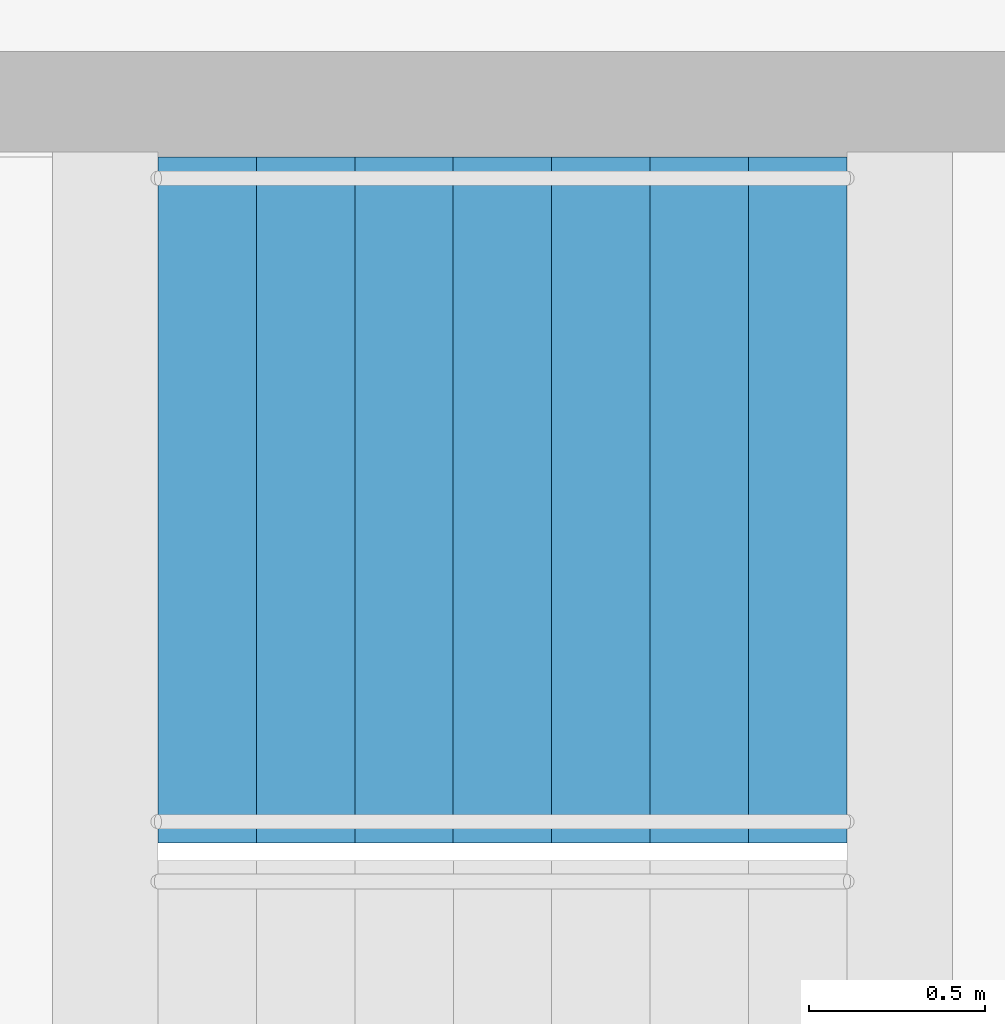
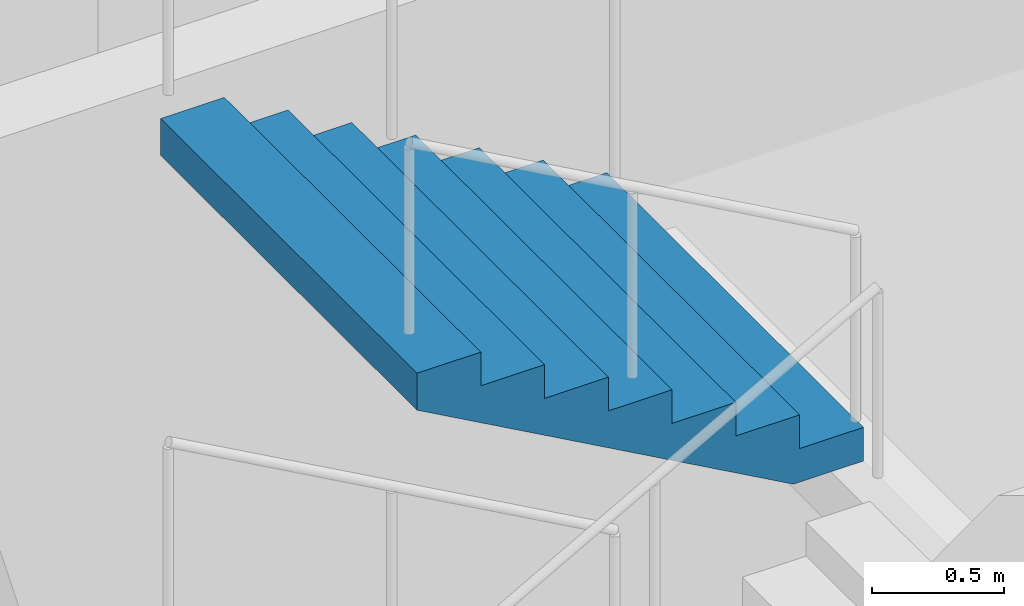
# One storey, part 21 of 26: 1 stair flight, 1 element without a shape of its own.
"""IFC4 building model written with IfcOpenShell, lengths in metres."""

from ifc_helpers import new_model, si_unit, direction, frame, origin, place, context, subcontext, project, spatial, triangles, material, type_object, element, aggregate, save


model = new_model("IFC4")

# Units and contexts
model_context = context("Model", 3, precision=1e-05, world=origin(), true_north=direction((0.0, 1.0)))
body_context = subcontext(model_context, "Body", "Model", "MODEL_VIEW")
ifc_project = project(units=[si_unit("LENGTHUNIT", "METRE"), si_unit("AREAUNIT", "SQUARE_METRE"), si_unit("VOLUMEUNIT", "CUBIC_METRE"), si_unit("PLANEANGLEUNIT", "RADIAN"), si_unit("MASSUNIT", "GRAM", prefix="KILO")], contexts=[model_context])

# Site, building, storey
site_placement = place(None, origin())
site = spatial("IfcSite", under=ifc_project, at=site_placement, CompositionType="ELEMENT")
building_placement = place(site_placement, origin())
building = spatial("IfcBuilding", under=site, at=building_placement, Name="Orbita Commons", CompositionType="ELEMENT")
storey_placement = place(building_placement, frame((0.0, 0.0, 11.0)))
storey = spatial("IfcBuildingStorey", under=building, at=storey_placement, Name="L02", CompositionType="ELEMENT", Elevation=11.0)

# Stair, stair flight
ifc_material_1 = material(Name="Precast concrete C40/50", Category="concrete")
stair_type = type_object("IfcStairType", Name="Exit stair S1 4 flights 8 risers 156", PredefinedType="HALF_TURN_STAIR", material=ifc_material_1)
stair_placement = place(storey_placement, origin())
stair = element("IfcStair", 1, at=stair_placement, inside=storey, type_object=stair_type, Name="Exit stair S1 L02", PredefinedType="HALF_TURN_STAIR")
ifc_material_2 = material(Name="Precast concrete C40/50", Category="concrete")
stair_flight_type = type_object("IfcStairFlightType", Name="Stair flight 8 risers 156 x 280", PredefinedType="STRAIGHT", material=ifc_material_2)
stair_flight_placement = place(storey_placement, frame((22.409912109375, 29.27490234375, 3.75), z_axis=(0.0, 0.0, 1.0), x_axis=(-1.0, 0.0, 0.0)))
stair_flight = element("IfcStairFlight", 2, at=stair_flight_placement, type_object=stair_flight_type, Name="S1 flight 4", NumberOfRisers=8, NumberOfTreads=7, PredefinedType="STRAIGHT", RiserHeight=0.15625, TreadLength=0.28, context=body_context, shape_type="Tessellation", body=[
    triangles([(0.0, 0.974976, 0.0), (0.0, 0.974976, 0.019531), (0.0, 0.81248, 0.019531), (0.0, 0.81248, 0.0), (0.0, 0.649984, 0.019531), (0.0, 0.649984, 0.0), (0.0, 0.487488, 0.019531), (0.0, 0.487488, 0.0), (0.0, 0.324992, 0.019531), (0.0, 0.324992, 0.0), (0.0, 0.162496, 0.019531), (0.0, 0.162496, 0.0), (0.0, 0.0, 0.019531), (0.0, 0.0, 0.0), (0.0, -0.162496, 0.019531), (0.0, -0.162496, 0.0), (0.0, -0.324992, 0.019531), (0.0, -0.324992, 0.0), (0.0, -0.487488, 0.019531), (0.0, -0.487488, 0.0), (0.0, -0.649984, 0.019531), (0.0, -0.649984, 0.0), (0.0, -0.81248, 0.019531), (0.0, -0.81248, 0.0), (0.0, -0.974976, 0.019531), (0.0, -0.974976, 0.0), (0.0, 0.974976, 0.039062), (0.0, 0.81248, 0.039062), (0.0, 0.649984, 0.039062), (0.0, 0.487488, 0.039062), (0.0, 0.324992, 0.039062), (0.0, 0.162496, 0.039062), (0.0, 0.0, 0.039062), (0.0, -0.162496, 0.039062), (0.0, -0.324992, 0.039062), (0.0, -0.487488, 0.039062), (0.0, -0.649984, 0.039062), (0.0, -0.81248, 0.039062), (0.0, -0.974976, 0.039062), (0.0, 0.974976, 0.058594), (0.0, 0.81248, 0.058594), (0.0, 0.649984, 0.058594), (0.0, 0.487488, 0.058594), (0.0, 0.324992, 0.058594), (0.0, 0.162496, 0.058594), (0.0, 0.0, 0.058594), (0.0, -0.162496, 0.058594), (0.0, -0.324992, 0.058594), (0.0, -0.487488, 0.058594), (0.0, -0.649984, 0.058594), (0.0, -0.81248, 0.058594), (0.0, -0.974976, 0.058594), (0.0, 0.974976, 0.078125), (0.0, 0.81248, 0.078125), (0.0, 0.649984, 0.078125), (0.0, 0.487488, 0.078125), (0.0, 0.324992, 0.078125), (0.0, 0.162496, 0.078125), (0.0, 0.0, 0.078125), (0.0, -0.162496, 0.078125), (0.0, -0.324992, 0.078125), (0.0, -0.487488, 0.078125), (0.0, -0.649984, 0.078125), (0.0, -0.81248, 0.078125), (0.0, -0.974976, 0.078125), (0.0, 0.974976, 0.097656), (0.0, 0.81248, 0.097656), (0.0, 0.649984, 0.097656), (0.0, 0.487488, 0.097656), (0.0, 0.324992, 0.097656), (0.0, 0.162496, 0.097656), (0.0, 0.0, 0.097656), (0.0, -0.162496, 0.097656), (0.0, -0.324992, 0.097656), (0.0, -0.487488, 0.097656), (0.0, -0.649984, 0.097656), (0.0, -0.81248, 0.097656), (0.0, -0.974976, 0.097656), (0.0, 0.974976, 0.117188), (0.0, 0.81248, 0.117188), (0.0, 0.649984, 0.117188), (0.0, 0.487488, 0.117188), (0.0, 0.324992, 0.117188), (0.0, 0.162496, 0.117188), (0.0, 0.0, 0.117188), (0.0, -0.162496, 0.117188), (0.0, -0.324992, 0.117188), (0.0, -0.487488, 0.117188), (0.0, -0.649984, 0.117188), (0.0, -0.81248, 0.117188), (0.0, -0.974976, 0.117188), (0.0, 0.974976, 0.136719), (0.0, 0.81248, 0.136719), (0.0, 0.649984, 0.136719), (0.0, 0.487488, 0.136719), (0.0, 0.324992, 0.136719), (0.0, 0.162496, 0.136719), (0.0, 0.0, 0.136719), (0.0, -0.162496, 0.136719), (0.0, -0.324992, 0.136719), (0.0, -0.487488, 0.136719), (0.0, -0.649984, 0.136719), (0.0, -0.81248, 0.136719), (0.0, -0.974976, 0.136719), (0.0, 0.974976, 0.15625), (0.0, 0.81248, 0.15625), (0.0, 0.649984, 0.15625), (0.0, 0.487488, 0.15625), (0.0, 0.324992, 0.15625), (0.0, 0.162496, 0.15625), (0.0, 0.0, 0.15625), (0.0, -0.162496, 0.15625), (0.0, -0.324992, 0.15625), (0.0, -0.487488, 0.15625), (0.0, -0.649984, 0.15625), (0.0, -0.81248, 0.15625), (0.0, -0.974976, 0.15625), (0.28, 0.974976, 0.15625), (0.28, 0.81248, 0.15625), (0.28, 0.649984, 0.15625), (0.28, 0.487488, 0.15625), (0.28, 0.324992, 0.15625), (0.28, 0.162496, 0.15625), (0.28, 0.0, 0.15625), (0.28, -0.162496, 0.15625), (0.28, -0.324992, 0.15625), (0.28, -0.487488, 0.15625), (0.28, -0.649984, 0.15625), (0.28, -0.81248, 0.15625), (0.28, -0.974976, 0.15625), (0.28, 0.974976, 0.3125), (0.28, 0.81248, 0.3125), (0.28, 0.649984, 0.3125), (0.28, 0.487488, 0.3125), (0.28, 0.324992, 0.3125), (0.28, 0.162496, 0.3125), (0.28, 0.0, 0.3125), (0.28, -0.162496, 0.3125), (0.28, -0.324992, 0.3125), (0.28, -0.487488, 0.3125), (0.28, -0.649984, 0.3125), (0.28, -0.81248, 0.3125), (0.28, -0.974976, 0.3125), (0.56, 0.974976, 0.3125), (0.56, 0.81248, 0.3125), (0.56, 0.649984, 0.3125), (0.56, 0.487488, 0.3125), (0.56, 0.324992, 0.3125), (0.56, 0.162496, 0.3125), (0.56, 0.0, 0.3125), (0.56, -0.162496, 0.3125), (0.56, -0.324992, 0.3125), (0.56, -0.487488, 0.3125), (0.56, -0.649984, 0.3125), (0.56, -0.81248, 0.3125), (0.56, -0.974976, 0.3125), (0.56, 0.974976, 0.46875), (0.56, 0.81248, 0.46875), (0.56, 0.649984, 0.46875), (0.56, 0.487488, 0.46875), (0.56, 0.324992, 0.46875), (0.56, 0.162496, 0.46875), (0.56, 0.0, 0.46875), (0.56, -0.162496, 0.46875), (0.56, -0.324992, 0.46875), (0.56, -0.487488, 0.46875), (0.56, -0.649984, 0.46875), (0.56, -0.81248, 0.46875), (0.56, -0.974976, 0.46875), (0.84, 0.974976, 0.46875), (0.84, 0.81248, 0.46875), (0.84, 0.649984, 0.46875), (0.84, 0.487488, 0.46875), (0.84, 0.324992, 0.46875), (0.84, 0.162496, 0.46875), (0.84, 0.0, 0.46875), (0.84, -0.162496, 0.46875), (0.84, -0.324992, 0.46875), (0.84, -0.487488, 0.46875), (0.84, -0.649984, 0.46875), (0.84, -0.81248, 0.46875), (0.84, -0.974976, 0.46875), (0.84, 0.974976, 0.625), (0.84, 0.81248, 0.625), (0.84, 0.649984, 0.625), (0.84, 0.487488, 0.625), (0.84, 0.324992, 0.625), (0.84, 0.162496, 0.625), (0.84, 0.0, 0.625), (0.84, -0.162496, 0.625), (0.84, -0.324992, 0.625), (0.84, -0.487488, 0.625), (0.84, -0.649984, 0.625), (0.84, -0.81248, 0.625), (0.84, -0.974976, 0.625), (1.12, 0.974976, 0.625), (1.12, 0.81248, 0.625), (1.12, 0.649984, 0.625), (1.12, 0.487488, 0.625), (1.12, 0.324992, 0.625), (1.12, 0.162496, 0.625), (1.12, 0.0, 0.625), (1.12, -0.162496, 0.625), (1.12, -0.324992, 0.625), (1.12, -0.487488, 0.625), (1.12, -0.649984, 0.625), (1.12, -0.81248, 0.625), (1.12, -0.974976, 0.625), (1.12, 0.974976, 0.78125), (1.12, 0.81248, 0.78125), (1.12, 0.649984, 0.78125), (1.12, 0.487488, 0.78125), (1.12, 0.324992, 0.78125), (1.12, 0.162496, 0.78125), (1.12, 0.0, 0.78125), (1.12, -0.162496, 0.78125), (1.12, -0.324992, 0.78125), (1.12, -0.487488, 0.78125), (1.12, -0.649984, 0.78125), (1.12, -0.81248, 0.78125), (1.12, -0.974976, 0.78125), (1.4, 0.974976, 0.78125), (1.4, 0.81248, 0.78125), (1.4, 0.649984, 0.78125), (1.4, 0.487488, 0.78125), (1.4, 0.324992, 0.78125), (1.4, 0.162496, 0.78125), (1.4, 0.0, 0.78125), (1.4, -0.162496, 0.78125), (1.4, -0.324992, 0.78125), (1.4, -0.487488, 0.78125), (1.4, -0.649984, 0.78125), (1.4, -0.81248, 0.78125), (1.4, -0.974976, 0.78125), (1.4, 0.974976, 0.9375), (1.4, 0.81248, 0.9375), (1.4, 0.649984, 0.9375), (1.4, 0.487488, 0.9375), (1.4, 0.324992, 0.9375), (1.4, 0.162496, 0.9375), (1.4, 0.0, 0.9375), (1.4, -0.162496, 0.9375), (1.4, -0.324992, 0.9375), (1.4, -0.487488, 0.9375), (1.4, -0.649984, 0.9375), (1.4, -0.81248, 0.9375), (1.4, -0.974976, 0.9375), (1.68, 0.974976, 0.9375), (1.68, 0.81248, 0.9375), (1.68, 0.649984, 0.9375), (1.68, 0.487488, 0.9375), (1.68, 0.324992, 0.9375), (1.68, 0.162496, 0.9375), (1.68, 0.0, 0.9375), (1.68, -0.162496, 0.9375), (1.68, -0.324992, 0.9375), (1.68, -0.487488, 0.9375), (1.68, -0.649984, 0.9375), (1.68, -0.81248, 0.9375), (1.68, -0.974976, 0.9375), (1.68, 0.974976, 1.09375), (1.68, 0.81248, 1.09375), (1.68, 0.649984, 1.09375), (1.68, 0.487488, 1.09375), (1.68, 0.324992, 1.09375), (1.68, 0.162496, 1.09375), (1.68, 0.0, 1.09375), (1.68, -0.162496, 1.09375), (1.68, -0.324992, 1.09375), (1.68, -0.487488, 1.09375), (1.68, -0.649984, 1.09375), (1.68, -0.81248, 1.09375), (1.68, -0.974976, 1.09375), (1.96, 0.974976, 1.09375), (1.96, 0.81248, 1.09375), (1.96, 0.649984, 1.09375), (1.96, 0.487488, 1.09375), (1.96, 0.324992, 1.09375), (1.96, 0.162496, 1.09375), (1.96, 0.0, 1.09375), (1.96, -0.162496, 1.09375), (1.96, -0.324992, 1.09375), (1.96, -0.487488, 1.09375), (1.96, -0.649984, 1.09375), (1.96, -0.81248, 1.09375), (1.96, -0.974976, 1.09375), (1.96, 0.974976, 1.072292), (1.96, 0.81248, 1.072292), (1.96, 0.649984, 1.072292), (1.96, 0.487488, 1.072292), (1.96, 0.324992, 1.072292), (1.96, 0.162496, 1.072292), (1.96, 0.0, 1.072292), (1.96, -0.162496, 1.072292), (1.96, -0.324992, 1.072292), (1.96, -0.487488, 1.072292), (1.96, -0.649984, 1.072292), (1.96, -0.81248, 1.072292), (1.96, -0.974976, 1.072292), (1.96, 0.974976, 1.050834), (1.96, 0.81248, 1.050834), (1.96, 0.649984, 1.050834), (1.96, 0.487488, 1.050834), (1.96, 0.324992, 1.050834), (1.96, 0.162496, 1.050834), (1.96, 0.0, 1.050834), (1.96, -0.162496, 1.050834), (1.96, -0.324992, 1.050834), (1.96, -0.487488, 1.050834), (1.96, -0.649984, 1.050834), (1.96, -0.81248, 1.050834), (1.96, -0.974976, 1.050834), (1.96, 0.974976, 1.029376), (1.96, 0.81248, 1.029376), (1.96, 0.649984, 1.029376), (1.96, 0.487488, 1.029376), (1.96, 0.324992, 1.029376), (1.96, 0.162496, 1.029376), (1.96, 0.0, 1.029376), (1.96, -0.162496, 1.029376), (1.96, -0.324992, 1.029376), (1.96, -0.487488, 1.029376), (1.96, -0.649984, 1.029376), (1.96, -0.81248, 1.029376), (1.96, -0.974976, 1.029376), (1.96, 0.974976, 1.007919), (1.96, 0.81248, 1.007919), (1.96, 0.649984, 1.007919), (1.96, 0.487488, 1.007919), (1.96, 0.324992, 1.007919), (1.96, 0.162496, 1.007919), (1.96, 0.0, 1.007919), (1.96, -0.162496, 1.007919), (1.96, -0.324992, 1.007919), (1.96, -0.487488, 1.007919), (1.96, -0.649984, 1.007919), (1.96, -0.81248, 1.007919), (1.96, -0.974976, 1.007919), (1.96, 0.974976, 0.986461), (1.96, 0.81248, 0.986461), (1.96, 0.649984, 0.986461), (1.96, 0.487488, 0.986461), (1.96, 0.324992, 0.986461), (1.96, 0.162496, 0.986461), (1.96, 0.0, 0.986461), (1.96, -0.162496, 0.986461), (1.96, -0.324992, 0.986461), (1.96, -0.487488, 0.986461), (1.96, -0.649984, 0.986461), (1.96, -0.81248, 0.986461), (1.96, -0.974976, 0.986461), (1.96, 0.974976, 0.965003), (1.96, 0.81248, 0.965003), (1.96, 0.649984, 0.965003), (1.96, 0.487488, 0.965003), (1.96, 0.324992, 0.965003), (1.96, 0.162496, 0.965003), (1.96, 0.0, 0.965003), (1.96, -0.162496, 0.965003), (1.96, -0.324992, 0.965003), (1.96, -0.487488, 0.965003), (1.96, -0.649984, 0.965003), (1.96, -0.81248, 0.965003), (1.96, -0.974976, 0.965003), (1.96, 0.974976, 0.943545), (1.96, 0.81248, 0.943545), (1.96, 0.649984, 0.943545), (1.96, 0.487488, 0.943545), (1.96, 0.324992, 0.943545), (1.96, 0.162496, 0.943545), (1.96, 0.0, 0.943545), (1.96, -0.162496, 0.943545), (1.96, -0.324992, 0.943545), (1.96, -0.487488, 0.943545), (1.96, -0.649984, 0.943545), (1.96, -0.81248, 0.943545), (1.96, -0.974976, 0.943545), (1.96, 0.974976, 0.922087), (1.96, 0.81248, 0.922087), (1.96, 0.649984, 0.922087), (1.96, 0.487488, 0.922087), (1.96, 0.324992, 0.922087), (1.96, 0.162496, 0.922087), (1.96, 0.0, 0.922087), (1.96, -0.162496, 0.922087), (1.96, -0.324992, 0.922087), (1.96, -0.487488, 0.922087), (1.96, -0.649984, 0.922087), (1.96, -0.81248, 0.922087), (1.96, -0.974976, 0.922087), (0.30762, 0.974976, 0.0), (0.30762, 0.81248, 0.0), (0.30762, 0.649984, 0.0), (0.30762, 0.487488, 0.0), (0.30762, 0.324992, 0.0), (0.30762, 0.162496, 0.0), (0.30762, 0.0, 0.0), (0.30762, -0.162496, 0.0), (0.30762, -0.324992, 0.0), (0.30762, -0.487488, 0.0), (0.30762, -0.649984, 0.0), (0.30762, -0.81248, 0.0), (0.30762, -0.974976, 0.0)], [[3, 2, 1], [4, 3, 1], [5, 3, 4], [6, 5, 4], [7, 5, 6], [8, 7, 6], [9, 7, 8], [10, 9, 8], [11, 9, 10], [12, 11, 10], [13, 11, 12], [14, 13, 12], [15, 13, 14], [16, 15, 14], [17, 15, 16], [18, 17, 16], [19, 17, 18], [20, 19, 18], [21, 19, 20], [22, 21, 20], [23, 21, 22], [24, 23, 22], [25, 23, 24], [26, 25, 24], [28, 27, 2], [3, 28, 2], [29, 28, 3], [5, 29, 3], [30, 29, 5], [7, 30, 5], [31, 30, 7], [9, 31, 7], [32, 31, 9], [11, 32, 9], [33, 32, 11], [13, 33, 11], [34, 33, 13], [15, 34, 13], [35, 34, 15], [17, 35, 15], [36, 35, 17], [19, 36, 17], [37, 36, 19], [21, 37, 19], [38, 37, 21], [23, 38, 21], [39, 38, 23], [25, 39, 23], [41, 40, 27], [28, 41, 27], [42, 41, 28], [29, 42, 28], [43, 42, 29], [30, 43, 29], [44, 43, 30], [31, 44, 30], [45, 44, 31], [32, 45, 31], [46, 45, 32], [33, 46, 32], [47, 46, 33], [34, 47, 33], [48, 47, 34], [35, 48, 34], [49, 48, 35], [36, 49, 35], [50, 49, 36], [37, 50, 36], [51, 50, 37], [38, 51, 37], [52, 51, 38], [39, 52, 38], [54, 53, 40], [41, 54, 40], [55, 54, 41], [42, 55, 41], [56, 55, 42], [43, 56, 42], [57, 56, 43], [44, 57, 43], [58, 57, 44], [45, 58, 44], [59, 58, 45], [46, 59, 45], [60, 59, 46], [47, 60, 46], [61, 60, 47], [48, 61, 47], [62, 61, 48], [49, 62, 48], [63, 62, 49], [50, 63, 49], [64, 63, 50], [51, 64, 50], [65, 64, 51], [52, 65, 51], [67, 66, 53], [54, 67, 53], [68, 67, 54], [55, 68, 54], [69, 68, 55], [56, 69, 55], [70, 69, 56], [57, 70, 56], [71, 70, 57], [58, 71, 57], [72, 71, 58], [59, 72, 58], [73, 72, 59], [60, 73, 59], [74, 73, 60], [61, 74, 60], [75, 74, 61], [62, 75, 61], [76, 75, 62], [63, 76, 62], [77, 76, 63], [64, 77, 63], [78, 77, 64], [65, 78, 64], [80, 79, 66], [67, 80, 66], [81, 80, 67], [68, 81, 67], [82, 81, 68], [69, 82, 68], [83, 82, 69], [70, 83, 69], [84, 83, 70], [71, 84, 70], [85, 84, 71], [72, 85, 71], [86, 85, 72], [73, 86, 72], [87, 86, 73], [74, 87, 73], [88, 87, 74], [75, 88, 74], [89, 88, 75], [76, 89, 75], [90, 89, 76], [77, 90, 76], [91, 90, 77], [78, 91, 77], [93, 92, 79], [80, 93, 79], [94, 93, 80], [81, 94, 80], [95, 94, 81], [82, 95, 81], [96, 95, 82], [83, 96, 82], [97, 96, 83], [84, 97, 83], [98, 97, 84], [85, 98, 84], [99, 98, 85], [86, 99, 85], [100, 99, 86], [87, 100, 86], [101, 100, 87], [88, 101, 87], [102, 101, 88], [89, 102, 88], [103, 102, 89], [90, 103, 89], [104, 103, 90], [91, 104, 90], [106, 105, 92], [93, 106, 92], [107, 106, 93], [94, 107, 93], [108, 107, 94], [95, 108, 94], [109, 108, 95], [96, 109, 95], [110, 109, 96], [97, 110, 96], [111, 110, 97], [98, 111, 97], [112, 111, 98], [99, 112, 98], [113, 112, 99], [100, 113, 99], [114, 113, 100], [101, 114, 100], [115, 114, 101], [102, 115, 101], [116, 115, 102], [103, 116, 102], [117, 116, 103], [104, 117, 103], [119, 118, 105], [106, 119, 105], [120, 119, 106], [107, 120, 106], [121, 120, 107], [108, 121, 107], [122, 121, 108], [109, 122, 108], [123, 122, 109], [110, 123, 109], [124, 123, 110], [111, 124, 110], [125, 124, 111], [112, 125, 111], [126, 125, 112], [113, 126, 112], [127, 126, 113], [114, 127, 113], [128, 127, 114], [115, 128, 114], [129, 128, 115], [116, 129, 115], [130, 129, 116], [117, 130, 116], [132, 131, 118], [119, 132, 118], [133, 132, 119], [120, 133, 119], [134, 133, 120], [121, 134, 120], [135, 134, 121], [122, 135, 121], [136, 135, 122], [123, 136, 122], [137, 136, 123], [124, 137, 123], [138, 137, 124], [125, 138, 124], [139, 138, 125], [126, 139, 125], [140, 139, 126], [127, 140, 126], [141, 140, 127], [128, 141, 127], [142, 141, 128], [129, 142, 128], [143, 142, 129], [130, 143, 129], [145, 144, 131], [132, 145, 131], [146, 145, 132], [133, 146, 132], [147, 146, 133], [134, 147, 133], [148, 147, 134], [135, 148, 134], [149, 148, 135], [136, 149, 135], [150, 149, 136], [137, 150, 136], [151, 150, 137], [138, 151, 137], [152, 151, 138], [139, 152, 138], [153, 152, 139], [140, 153, 139], [154, 153, 140], [141, 154, 140], [155, 154, 141], [142, 155, 141], [156, 155, 142], [143, 156, 142], [158, 157, 144], [145, 158, 144], [159, 158, 145], [146, 159, 145], [160, 159, 146], [147, 160, 146], [161, 160, 147], [148, 161, 147], [162, 161, 148], [149, 162, 148], [163, 162, 149], [150, 163, 149], [164, 163, 150], [151, 164, 150], [165, 164, 151], [152, 165, 151], [166, 165, 152], [153, 166, 152], [167, 166, 153], [154, 167, 153], [168, 167, 154], [155, 168, 154], [169, 168, 155], [156, 169, 155], [171, 170, 157], [158, 171, 157], [172, 171, 158], [159, 172, 158], [173, 172, 159], [160, 173, 159], [174, 173, 160], [161, 174, 160], [175, 174, 161], [162, 175, 161], [176, 175, 162], [163, 176, 162], [177, 176, 163], [164, 177, 163], [178, 177, 164], [165, 178, 164], [179, 178, 165], [166, 179, 165], [180, 179, 166], [167, 180, 166], [181, 180, 167], [168, 181, 167], [182, 181, 168], [169, 182, 168], [184, 183, 170], [171, 184, 170], [185, 184, 171], [172, 185, 171], [186, 185, 172], [173, 186, 172], [187, 186, 173], [174, 187, 173], [188, 187, 174], [175, 188, 174], [189, 188, 175], [176, 189, 175], [190, 189, 176], [177, 190, 176], [191, 190, 177], [178, 191, 177], [192, 191, 178], [179, 192, 178], [193, 192, 179], [180, 193, 179], [194, 193, 180], [181, 194, 180], [195, 194, 181], [182, 195, 181], [197, 196, 183], [184, 197, 183], [198, 197, 184], [185, 198, 184], [199, 198, 185], [186, 199, 185], [200, 199, 186], [187, 200, 186], [201, 200, 187], [188, 201, 187], [202, 201, 188], [189, 202, 188], [203, 202, 189], [190, 203, 189], [204, 203, 190], [191, 204, 190], [205, 204, 191], [192, 205, 191], [206, 205, 192], [193, 206, 192], [207, 206, 193], [194, 207, 193], [208, 207, 194], [195, 208, 194], [210, 209, 196], [197, 210, 196], [211, 210, 197], [198, 211, 197], [212, 211, 198], [199, 212, 198], [213, 212, 199], [200, 213, 199], [214, 213, 200], [201, 214, 200], [215, 214, 201], [202, 215, 201], [216, 215, 202], [203, 216, 202], [217, 216, 203], [204, 217, 203], [218, 217, 204], [205, 218, 204], [219, 218, 205], [206, 219, 205], [220, 219, 206], [207, 220, 206], [221, 220, 207], [208, 221, 207], [223, 222, 209], [210, 223, 209], [224, 223, 210], [211, 224, 210], [225, 224, 211], [212, 225, 211], [226, 225, 212], [213, 226, 212], [227, 226, 213], [214, 227, 213], [228, 227, 214], [215, 228, 214], [229, 228, 215], [216, 229, 215], [230, 229, 216], [217, 230, 216], [231, 230, 217], [218, 231, 217], [232, 231, 218], [219, 232, 218], [233, 232, 219], [220, 233, 219], [234, 233, 220], [221, 234, 220], [236, 235, 222], [223, 236, 222], [237, 236, 223], [224, 237, 223], [238, 237, 224], [225, 238, 224], [239, 238, 225], [226, 239, 225], [240, 239, 226], [227, 240, 226], [241, 240, 227], [228, 241, 227], [242, 241, 228], [229, 242, 228], [243, 242, 229], [230, 243, 229], [244, 243, 230], [231, 244, 230], [245, 244, 231], [232, 245, 231], [246, 245, 232], [233, 246, 232], [247, 246, 233], [234, 247, 233], [249, 248, 235], [236, 249, 235], [250, 249, 236], [237, 250, 236], [251, 250, 237], [238, 251, 237], [252, 251, 238], [239, 252, 238], [253, 252, 239], [240, 253, 239], [254, 253, 240], [241, 254, 240], [255, 254, 241], [242, 255, 241], [256, 255, 242], [243, 256, 242], [257, 256, 243], [244, 257, 243], [258, 257, 244], [245, 258, 244], [259, 258, 245], [246, 259, 245], [260, 259, 246], [247, 260, 246], [262, 261, 248], [249, 262, 248], [263, 262, 249], [250, 263, 249], [264, 263, 250], [251, 264, 250], [265, 264, 251], [252, 265, 251], [266, 265, 252], [253, 266, 252], [267, 266, 253], [254, 267, 253], [268, 267, 254], [255, 268, 254], [269, 268, 255], [256, 269, 255], [270, 269, 256], [257, 270, 256], [271, 270, 257], [258, 271, 257], [272, 271, 258], [259, 272, 258], [273, 272, 259], [260, 273, 259], [275, 274, 261], [262, 275, 261], [276, 275, 262], [263, 276, 262], [277, 276, 263], [264, 277, 263], [278, 277, 264], [265, 278, 264], [279, 278, 265], [266, 279, 265], [280, 279, 266], [267, 280, 266], [281, 280, 267], [268, 281, 267], [282, 281, 268], [269, 282, 268], [283, 282, 269], [270, 283, 269], [284, 283, 270], [271, 284, 270], [285, 284, 271], [272, 285, 271], [286, 285, 272], [273, 286, 272], [288, 287, 274], [275, 288, 274], [289, 288, 275], [276, 289, 275], [290, 289, 276], [277, 290, 276], [291, 290, 277], [278, 291, 277], [292, 291, 278], [279, 292, 278], [293, 292, 279], [280, 293, 279], [294, 293, 280], [281, 294, 280], [295, 294, 281], [282, 295, 281], [296, 295, 282], [283, 296, 282], [297, 296, 283], [284, 297, 283], [298, 297, 284], [285, 298, 284], [299, 298, 285], [286, 299, 285], [301, 300, 287], [288, 301, 287], [302, 301, 288], [289, 302, 288], [303, 302, 289], [290, 303, 289], [304, 303, 290], [291, 304, 290], [305, 304, 291], [292, 305, 291], [306, 305, 292], [293, 306, 292], [307, 306, 293], [294, 307, 293], [308, 307, 294], [295, 308, 294], [309, 308, 295], [296, 309, 295], [310, 309, 296], [297, 310, 296], [311, 310, 297], [298, 311, 297], [312, 311, 298], [299, 312, 298], [314, 313, 300], [301, 314, 300], [315, 314, 301], [302, 315, 301], [316, 315, 302], [303, 316, 302], [317, 316, 303], [304, 317, 303], [318, 317, 304], [305, 318, 304], [319, 318, 305], [306, 319, 305], [320, 319, 306], [307, 320, 306], [321, 320, 307], [308, 321, 307], [322, 321, 308], [309, 322, 308], [323, 322, 309], [310, 323, 309], [324, 323, 310], [311, 324, 310], [325, 324, 311], [312, 325, 311], [327, 326, 313], [314, 327, 313], [328, 327, 314], [315, 328, 314], [329, 328, 315], [316, 329, 315], [330, 329, 316], [317, 330, 316], [331, 330, 317], [318, 331, 317], [332, 331, 318], [319, 332, 318], [333, 332, 319], [320, 333, 319], [334, 333, 320], [321, 334, 320], [335, 334, 321], [322, 335, 321], [336, 335, 322], [323, 336, 322], [337, 336, 323], [324, 337, 323], [338, 337, 324], [325, 338, 324], [340, 339, 326], [327, 340, 326], [341, 340, 327], [328, 341, 327], [342, 341, 328], [329, 342, 328], [343, 342, 329], [330, 343, 329], [344, 343, 330], [331, 344, 330], [345, 344, 331], [332, 345, 331], [346, 345, 332], [333, 346, 332], [347, 346, 333], [334, 347, 333], [348, 347, 334], [335, 348, 334], [349, 348, 335], [336, 349, 335], [350, 349, 336], [337, 350, 336], [351, 350, 337], [338, 351, 337], [353, 352, 339], [340, 353, 339], [354, 353, 340], [341, 354, 340], [355, 354, 341], [342, 355, 341], [356, 355, 342], [343, 356, 342], [357, 356, 343], [344, 357, 343], [358, 357, 344], [345, 358, 344], [359, 358, 345], [346, 359, 345], [360, 359, 346], [347, 360, 346], [361, 360, 347], [348, 361, 347], [362, 361, 348], [349, 362, 348], [363, 362, 349], [350, 363, 349], [364, 363, 350], [351, 364, 350], [366, 365, 352], [353, 366, 352], [367, 366, 353], [354, 367, 353], [368, 367, 354], [355, 368, 354], [369, 368, 355], [356, 369, 355], [370, 369, 356], [357, 370, 356], [371, 370, 357], [358, 371, 357], [372, 371, 358], [359, 372, 358], [373, 372, 359], [360, 373, 359], [374, 373, 360], [361, 374, 360], [375, 374, 361], [362, 375, 361], [376, 375, 362], [363, 376, 362], [377, 376, 363], [364, 377, 363], [379, 378, 365], [366, 379, 365], [380, 379, 366], [367, 380, 366], [381, 380, 367], [368, 381, 367], [382, 381, 368], [369, 382, 368], [383, 382, 369], [370, 383, 369], [384, 383, 370], [371, 384, 370], [385, 384, 371], [372, 385, 371], [386, 385, 372], [373, 386, 372], [387, 386, 373], [374, 387, 373], [388, 387, 374], [375, 388, 374], [389, 388, 375], [376, 389, 375], [390, 389, 376], [377, 390, 376], [392, 391, 378], [379, 392, 378], [393, 392, 379], [380, 393, 379], [394, 393, 380], [381, 394, 380], [395, 394, 381], [382, 395, 381], [396, 395, 382], [383, 396, 382], [397, 396, 383], [384, 397, 383], [398, 397, 384], [385, 398, 384], [399, 398, 385], [386, 399, 385], [400, 399, 386], [387, 400, 386], [401, 400, 387], [388, 401, 387], [402, 401, 388], [389, 402, 388], [403, 402, 389], [390, 403, 389], [4, 1, 391], [392, 4, 391], [6, 4, 392], [393, 6, 392], [8, 6, 393], [394, 8, 393], [10, 8, 394], [395, 10, 394], [12, 10, 395], [396, 12, 395], [14, 12, 396], [397, 14, 396], [16, 14, 397], [398, 16, 397], [18, 16, 398], [399, 18, 398], [20, 18, 399], [400, 20, 399], [22, 20, 400], [401, 22, 400], [24, 22, 401], [402, 24, 401], [26, 24, 402], [403, 26, 402], [378, 391, 1], [26, 403, 390], [365, 378, 1], [26, 390, 377], [352, 365, 1], [26, 377, 364], [339, 352, 1], [26, 364, 351], [326, 339, 1], [26, 351, 338], [313, 326, 1], [26, 338, 325], [300, 313, 1], [26, 325, 312], [287, 300, 1], [26, 312, 299], [261, 274, 287], [299, 286, 273], [248, 261, 287], [299, 273, 260], [222, 235, 248], [260, 247, 234], [222, 248, 287], [299, 260, 234], [196, 209, 222], [234, 221, 208], [196, 222, 287], [299, 234, 208], [170, 183, 196], [208, 195, 182], [170, 196, 287], [299, 208, 182], [144, 157, 170], [182, 169, 156], [144, 170, 287], [299, 182, 156], [118, 131, 144], [156, 143, 130], [118, 144, 287], [299, 156, 130], [118, 287, 1], [26, 299, 130], [92, 105, 118], [130, 117, 104], [79, 92, 118], [130, 104, 91], [66, 79, 118], [130, 91, 78], [53, 66, 118], [130, 78, 65], [40, 53, 118], [130, 65, 52], [27, 40, 118], [130, 52, 39], [2, 27, 118], [130, 39, 25], [1, 2, 118], [130, 25, 26]], closed=True),
])
aggregate(stair, [stair_flight])

save(model, "model.ifc")
